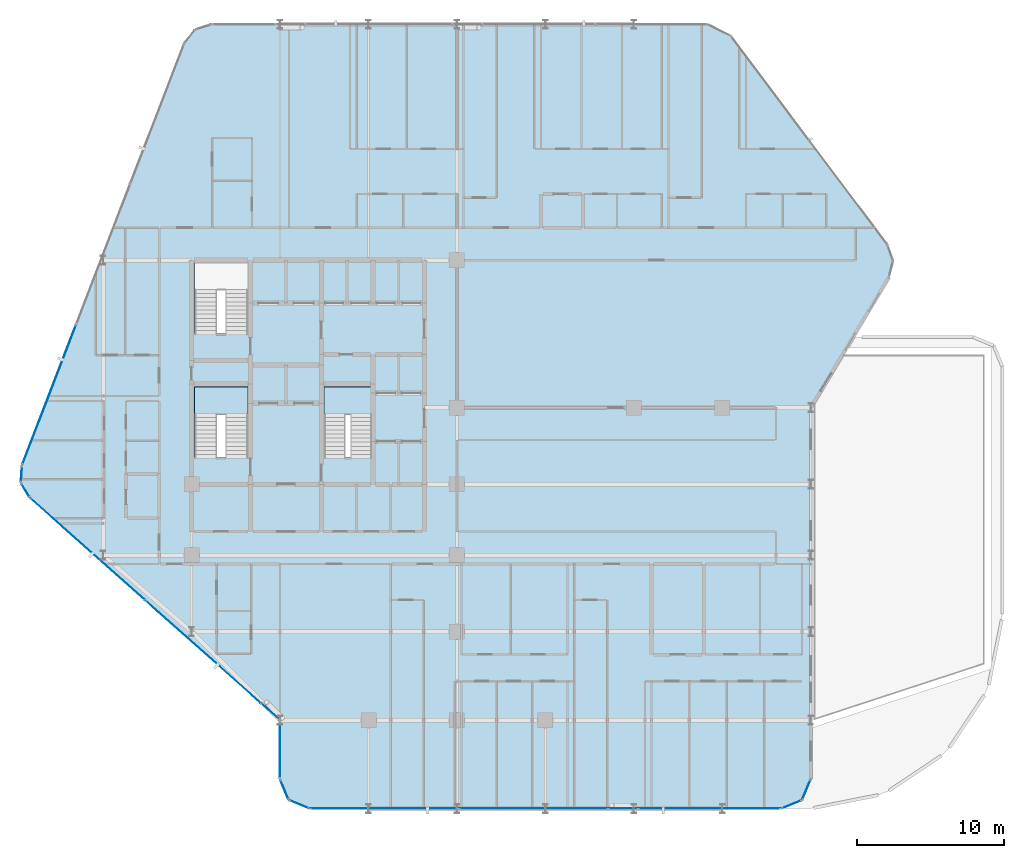
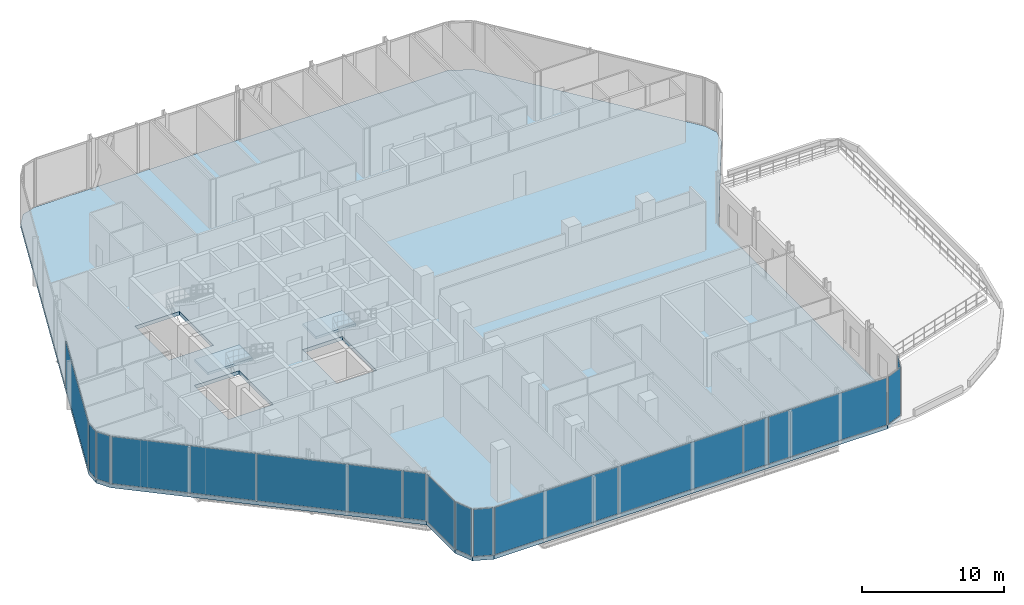
# One storey, part 19 of 30: 15 plates, 3 slabs, 15 elements without a shape of their own.
"""IFC4 building model written with IfcOpenShell, lengths in metres."""

from ifc_helpers import new_model, si_unit, direction, frame, origin, origin_2d, place, context, subcontext, project, spatial, polyline, rectangle, outline, extrude, material, layer, layer_set, type_object, element, aggregate, save


model = new_model("IFC4")

# Units and contexts
model_context = context("Model", 3, precision=1e-05, world=origin(), true_north=direction((0.0, 1.0)))
body_context = subcontext(model_context, "Body", "Model", "MODEL_VIEW")
ifc_project = project(units=[si_unit("LENGTHUNIT", "METRE"), si_unit("AREAUNIT", "SQUARE_METRE"), si_unit("VOLUMEUNIT", "CUBIC_METRE"), si_unit("PLANEANGLEUNIT", "RADIAN"), si_unit("MASSUNIT", "GRAM", prefix="KILO")], contexts=[model_context])

# Site, building, storey
site_placement = place(None, origin())
site = spatial("IfcSite", under=ifc_project, at=site_placement, CompositionType="ELEMENT")
building_placement = place(site_placement, origin())
building = spatial("IfcBuilding", under=site, at=building_placement, Name="Keshet Zoharim Tower", CompositionType="ELEMENT")
storey_placement = place(building_placement, frame((0.0, 0.0, 86.39990234375)))
storey = spatial("IfcBuildingStorey", under=building, at=storey_placement, Name="L20", CompositionType="ELEMENT", Elevation=86.39990234375)

# Curtain wall, plate
ifc_material_1 = material(Name="Aluminium 6063-T6", Category="aluminium")
ifc_layer_1 = layer(ifc_material_1, 0.159912109375)
ifc_layer_set_1 = layer_set([ifc_layer_1], Name="Aluminium 6063-T6")
curtain_wall_type = type_object("IfcCurtainWallType", Name="CW-SYS-03", PredefinedType="NOTDEFINED", material=ifc_layer_set_1)
curtain_wall_1_placement = place(storey_placement, origin())
curtain_wall_1 = element("IfcCurtainWall", 1, at=curtain_wall_1_placement, inside=storey, type_object=curtain_wall_type, Name="L20 Unitised Curtain Wall 01", PredefinedType="NOTDEFINED")
ifc_material_2 = material(Name="Insulated Low-E Clear Glass", Category="glass")
ifc_layer_2 = layer(ifc_material_2, 0.035888671875)
ifc_layer_set_2 = layer_set([ifc_layer_2], Name="Insulated Low-E Clear Glass")
plate_type_1 = type_object("IfcPlateType", Name="CWP-01", PredefinedType="CURTAIN_PANEL", material=ifc_layer_set_2)
plate_1_placement = place(storey_placement, frame((56.70703125, 1.992919921875, 0.070068359375), z_axis=(0.0, 0.0, 1.0), x_axis=(-0.382851849847, -0.92380975372, 0.0)))
plate_1 = element("IfcPlate", 2, at=plate_1_placement, type_object=plate_type_1, Name="CW-03 panel 1.1", PredefinedType="CURTAIN_PANEL", context=body_context, shape_type="SweptSolid", body=[
    extrude(rectangle(XDim=1.390625, YDim=0.035888671875, at=origin_2d()), origin(), (0.0, 0.0, 1.0), 4.044921875),
])
aggregate(curtain_wall_1, [plate_1])

curtain_wall_2_placement = place(storey_placement, origin())
curtain_wall_2 = element("IfcCurtainWall", 3, at=curtain_wall_2_placement, inside=storey, type_object=curtain_wall_type, Name="L20 Unitised Curtain Wall 02", PredefinedType="NOTDEFINED")
plate_2_placement = place(storey_placement, frame((55.70703125, 0.992919921875, 0.070068359375), z_axis=(0.0, 0.0, 1.0), x_axis=(-0.92380975372, -0.382851849847, 0.0)))
plate_2 = element("IfcPlate", 4, at=plate_2_placement, type_object=plate_type_1, Name="CW-03 panel 1.1", PredefinedType="CURTAIN_PANEL", context=body_context, shape_type="SweptSolid", body=[
    extrude(rectangle(XDim=1.390625, YDim=0.035888671875, at=origin_2d()), origin(), (0.0, 0.0, 1.0), 4.044921875),
])
aggregate(curtain_wall_2, [plate_2])

curtain_wall_3_placement = place(storey_placement, origin())
curtain_wall_3 = element("IfcCurtainWall", 5, at=curtain_wall_3_placement, inside=storey, type_object=curtain_wall_type, Name="L20 Unitised Curtain Wall 03", PredefinedType="NOTDEFINED")
plate_3_placement = place(storey_placement, frame((50.1337890625, 0.699951171875, 0.070068359375), z_axis=(0.0, 0.0, 1.0), x_axis=(-1.0, 0.0, 0.0)))
plate_3 = element("IfcPlate", 6, at=plate_3_placement, type_object=plate_type_1, Name="CW-03 panel 1.1", PredefinedType="CURTAIN_PANEL", context=body_context, shape_type="SweptSolid", body=[
    extrude(rectangle(XDim=9.592529296875, YDim=0.035888671875, at=origin_2d()), origin(), (0.0, 0.0, 1.0), 4.044921875),
])
aggregate(curtain_wall_3, [plate_3])

# Curtain wall, plates
curtain_wall_4_placement = place(storey_placement, origin())
curtain_wall_4 = element("IfcCurtainWall", 7, at=curtain_wall_4_placement, inside=storey, type_object=curtain_wall_type, Name="L20 Unitised Curtain Wall 03 Part 3", PredefinedType="NOTDEFINED")
plate_4_placement = place(storey_placement, frame((38.19189453125, 0.699951171875, 0.070068359375), z_axis=(0.0, 0.0, 1.0), x_axis=(-1.0, 0.0, 0.0)))
plate_4 = element("IfcPlate", 8, at=plate_4_placement, type_object=plate_type_1, Name="CW-03 panel 1.1", PredefinedType="CURTAIN_PANEL", context=body_context, shape_type="SweptSolid", body=[
    extrude(rectangle(XDim=10.081298828125, YDim=0.035888671875, at=origin_2d()), origin(), (0.0, 0.0, 1.0), 4.044921875),
])
plate_5_placement = place(storey_placement, frame((28.07568359375, 0.699951171875, 0.070068359375), z_axis=(0.0, 0.0, 1.0), x_axis=(-1.0, 0.0, 0.0)))
plate_5 = element("IfcPlate", 9, at=plate_5_placement, type_object=plate_type_1, Name="CW-03 panel 2.1", PredefinedType="CURTAIN_PANEL", context=body_context, shape_type="SweptSolid", body=[
    extrude(rectangle(XDim=10.01123046875, YDim=0.035888671875, at=origin_2d()), origin(), (0.0, 0.0, 1.0), 4.044921875),
])
aggregate(curtain_wall_4, [plate_4, plate_5])

# Curtain wall, plate
curtain_wall_5_placement = place(storey_placement, origin())
curtain_wall_5 = element("IfcCurtainWall", 10, at=curtain_wall_5_placement, inside=storey, type_object=curtain_wall_type, Name="L20 Unitised Curtain Wall 04", PredefinedType="NOTDEFINED")
plate_6_placement = place(storey_placement, frame((22.29296875, 0.992919921875, 0.070068359375), z_axis=(0.0, 0.0, 1.0), x_axis=(-0.92380975372, 0.382851849847, 0.0)))
plate_6 = element("IfcPlate", 11, at=plate_6_placement, type_object=plate_type_1, Name="CW-03 panel 1.1", PredefinedType="CURTAIN_PANEL", context=body_context, shape_type="SweptSolid", body=[
    extrude(rectangle(XDim=1.390625, YDim=0.035888671875, at=origin_2d()), origin(), (0.0, 0.0, 1.0), 4.044921875),
])
aggregate(curtain_wall_5, [plate_6])

curtain_wall_6_placement = place(storey_placement, origin())
curtain_wall_6 = element("IfcCurtainWall", 12, at=curtain_wall_6_placement, inside=storey, type_object=curtain_wall_type, Name="L20 Unitised Curtain Wall 05", PredefinedType="NOTDEFINED")
plate_7_placement = place(storey_placement, frame((21.29296875, 1.992919921875, 0.070068359375), z_axis=(0.0, 0.0, 1.0), x_axis=(-0.382851849847, 0.92380975372, 0.0)))
plate_7 = element("IfcPlate", 13, at=plate_7_placement, type_object=plate_type_1, Name="CW-03 panel 1.1", PredefinedType="CURTAIN_PANEL", context=body_context, shape_type="SweptSolid", body=[
    extrude(rectangle(XDim=1.390625, YDim=0.035888671875, at=origin_2d()), origin(), (0.0, 0.0, 1.0), 4.044921875),
])
aggregate(curtain_wall_6, [plate_7])

curtain_wall_7_placement = place(storey_placement, origin())
curtain_wall_7 = element("IfcCurtainWall", 14, at=curtain_wall_7_placement, inside=storey, type_object=curtain_wall_type, Name="L20 Unitised Curtain Wall 06", PredefinedType="NOTDEFINED")
plate_8_placement = place(storey_placement, frame((21.0, 4.699951171875, 0.070068359375), z_axis=(0.0, 0.0, 1.0), x_axis=(0.0, 1.0, 0.0)))
plate_8 = element("IfcPlate", 15, at=plate_8_placement, type_object=plate_type_1, Name="CW-03 panel 1.1", PredefinedType="CURTAIN_PANEL", context=body_context, shape_type="SweptSolid", body=[
    extrude(rectangle(XDim=3.860107421875, YDim=0.035888671875, at=origin_2d()), origin(), (0.0, 0.0, 1.0), 4.044921875),
])
aggregate(curtain_wall_7, [plate_8])

# Curtain wall, plates
curtain_wall_8_placement = place(storey_placement, origin())
curtain_wall_8 = element("IfcCurtainWall", 16, at=curtain_wall_8_placement, inside=storey, type_object=curtain_wall_type, Name="L20 Unitised Curtain Wall 07 Part 2", PredefinedType="NOTDEFINED")
plate_9_placement = place(storey_placement, frame((15.782470703125, 11.337890625, 0.070068359375), z_axis=(0.0, 0.0, 1.0), x_axis=(-0.747409055117, 0.664364135343, 0.0)))
plate_9 = element("IfcPlate", 17, at=plate_9_placement, type_object=plate_type_1, Name="CW-03 panel 1.1", PredefinedType="CURTAIN_PANEL", context=body_context, shape_type="SweptSolid", body=[
    extrude(rectangle(XDim=10.431640625, YDim=0.035888671875, at=origin_2d()), origin(), (0.0, 0.0, 1.0), 4.044921875),
])
plate_10_placement = place(storey_placement, frame((7.95947265625, 18.29150390625, 0.070068359375), z_axis=(0.0, 0.0, 1.0), x_axis=(-0.747409055117, 0.664364135343, 0.0)))
plate_10 = element("IfcPlate", 18, at=plate_10_placement, type_object=plate_type_1, Name="CW-03 panel 2.1", PredefinedType="CURTAIN_PANEL", context=body_context, shape_type="SweptSolid", body=[
    extrude(rectangle(XDim=10.361572265625, YDim=0.035888671875, at=origin_2d()), origin(), (0.0, 0.0, 1.0), 4.044921875),
])
aggregate(curtain_wall_8, [plate_9, plate_10])

# Curtain wall, plate
curtain_wall_9_placement = place(storey_placement, origin())
curtain_wall_9 = element("IfcCurtainWall", 19, at=curtain_wall_9_placement, inside=storey, type_object=curtain_wall_type, Name="L20 Unitised Curtain Wall 08", PredefinedType="NOTDEFINED")
plate_11_placement = place(storey_placement, frame((3.7275390625, 22.291015625, 0.070068359375), z_axis=(0.0, 0.0, 1.0), x_axis=(-0.515604947933, 0.856826433805, 0.0)))
plate_11 = element("IfcPlate", 20, at=plate_11_placement, type_object=plate_type_1, Name="CW-03 panel 1.1", PredefinedType="CURTAIN_PANEL", context=body_context, shape_type="SweptSolid", body=[
    extrude(rectangle(XDim=1.052734375, YDim=0.035888671875, at=origin_2d()), origin(), (0.0, 0.0, 1.0), 4.044921875),
])
aggregate(curtain_wall_9, [plate_11])

curtain_wall_10_placement = place(storey_placement, origin())
curtain_wall_10 = element("IfcCurtainWall", 21, at=curtain_wall_10_placement, inside=storey, type_object=curtain_wall_type, Name="L20 Unitised Curtain Wall 09", PredefinedType="NOTDEFINED")
plate_12_placement = place(storey_placement, frame((3.45849609375, 23.3974609375, 0.070068359375), z_axis=(0.0, 0.0, 1.0), x_axis=(0.064516859374, 0.997916617186, 0.0)))
plate_12 = element("IfcPlate", 22, at=plate_12_placement, type_object=plate_type_1, Name="CW-03 panel 1.1", PredefinedType="CURTAIN_PANEL", context=body_context, shape_type="SweptSolid", body=[
    extrude(rectangle(XDim=1.053466796875, YDim=0.035888671875, at=origin_2d()), origin(), (0.0, 0.0, 1.0), 4.044921875),
])
aggregate(curtain_wall_10, [plate_12])

curtain_wall_11_placement = place(storey_placement, origin())
curtain_wall_11 = element("IfcCurtainWall", 23, at=curtain_wall_11_placement, inside=storey, type_object=curtain_wall_type, Name="L20 Unitised Curtain Wall 10", PredefinedType="NOTDEFINED")
plate_13_placement = place(storey_placement, frame((5.33837890625, 28.7802734375, 0.070068359375), z_axis=(0.0, 0.0, 1.0), x_axis=(0.358990003907, 0.933341404361, 0.0)))
plate_13 = element("IfcPlate", 24, at=plate_13_placement, type_object=plate_type_1, Name="CW-03 panel 1.1", PredefinedType="CURTAIN_PANEL", context=body_context, shape_type="SweptSolid", body=[
    extrude(rectangle(XDim=10.1181640625, YDim=0.035888671875, at=origin_2d()), origin(), (0.0, 0.0, 1.0), 4.044921875),
])
aggregate(curtain_wall_11, [plate_13])

curtain_wall_12_placement = place(storey_placement, origin())
curtain_wall_12 = element("IfcCurtainWall", 25, at=curtain_wall_12_placement, inside=storey, type_object=curtain_wall_type, Name="L20 Unitised Curtain Wall 03 Part 2", PredefinedType="NOTDEFINED")
ifc_material_3 = material(Name="Insulated Aluminium Spandrel Panel", Category="aluminium")
ifc_layer_3 = layer(ifc_material_3, 0.035888671875)
ifc_layer_set_3 = layer_set([ifc_layer_3], Name="Insulated Aluminium Spandrel Panel")
plate_type_2 = type_object("IfcPlateType", Name="CWP-04", PredefinedType="CURTAIN_PANEL", material=ifc_layer_set_3)
plate_14_placement = place(storey_placement, frame((44.284912109375, 0.699951171875, 0.070068359375), z_axis=(0.0, 0.0, 1.0), x_axis=(-1.0, 0.0, 0.0)))
plate_14 = element("IfcPlate", 26, at=plate_14_placement, type_object=plate_type_2, Name="CW-03 spandrel panel 1.1", PredefinedType="CURTAIN_PANEL", context=body_context, shape_type="SweptSolid", body=[
    extrude(rectangle(XDim=1.96484375, YDim=0.035888671875, at=origin_2d()), origin(), (0.0, 0.0, 1.0), 4.044921875),
])
aggregate(curtain_wall_12, [plate_14])

curtain_wall_13_placement = place(storey_placement, origin())
curtain_wall_13 = element("IfcCurtainWall", 27, at=curtain_wall_13_placement, inside=storey, type_object=curtain_wall_type, Name="L20 Unitised Curtain Wall 07", PredefinedType="NOTDEFINED")
plate_15_placement = place(storey_placement, frame((20.34033203125, 7.286376953125, 0.070068359375), z_axis=(0.0, 0.0, 1.0), x_axis=(-0.747412444309, 0.664360322484, 0.0)))
plate_15 = element("IfcPlate", 28, at=plate_15_placement, type_object=plate_type_2, Name="CW-03 spandrel panel 1.1", PredefinedType="CURTAIN_PANEL", context=body_context, shape_type="SweptSolid", body=[
    extrude(rectangle(XDim=1.625244140625, YDim=0.035888671875, at=origin_2d()), origin(), (0.0, 0.0, 1.0), 4.044921875),
])
aggregate(curtain_wall_13, [plate_15])

# Stair, slab
ifc_material_4 = material(Name="Concrete C50/60", Category="concrete")
stair_type = type_object("IfcStairType", Name="STR-EXIT-135", PredefinedType="HALF_TURN_STAIR", material=ifc_material_4)
stair_1_placement = place(storey_placement, origin())
stair_1 = element("IfcStair", 29, at=stair_1_placement, inside=storey, type_object=stair_type, Name="L20 Enclosed Exit Stair ST-01", PredefinedType="HALF_TURN_STAIR")
ifc_layer_4 = layer(ifc_material_4, 0.199951171875)
ifc_layer_set_4 = layer_set([ifc_layer_4], Name="Concrete C50/60")
slab_type_1 = type_object("IfcSlabType", Name="SLB-LND-200", PredefinedType="LANDING", material=ifc_layer_set_4)
slab_1_placement = place(storey_placement, frame((0.0, 0.0, 2.050048828125)))
slab_1 = element("IfcSlab", 30, at=slab_1_placement, type_object=slab_type_1, Name="ST-01 landing 1", PredefinedType="LANDING", context=body_context, shape_type="SweptSolid", body=[
    extrude(outline(polyline([(15.179931640625, 27.43994140625), (18.820068359375, 27.43994140625), (18.820068359375, 29.320068359375), (15.179931640625, 29.320068359375), (15.179931640625, 27.43994140625)])), origin(), (0.0, 0.0, 1.0), 0.199951171875),
])
aggregate(stair_1, [slab_1])

stair_2_placement = place(storey_placement, origin())
stair_2 = element("IfcStair", 31, at=stair_2_placement, inside=storey, type_object=stair_type, Name="L20 Enclosed Exit Stair ST-03", PredefinedType="HALF_TURN_STAIR")
slab_2_placement = place(storey_placement, frame((0.0, 0.0, 2.050048828125)))
slab_2 = element("IfcSlab", 32, at=slab_2_placement, type_object=slab_type_1, Name="ST-03 landing 1", PredefinedType="LANDING", context=body_context, shape_type="SweptSolid", body=[
    extrude(outline(polyline([(23.97998046875, 27.43994140625), (27.219970703125, 27.43994140625), (27.219970703125, 29.320068359375), (23.97998046875, 29.320068359375), (23.97998046875, 27.43994140625)])), origin(), (0.0, 0.0, 1.0), 0.199951171875),
])
aggregate(stair_2, [slab_2])

# Slab
ifc_layer_5 = layer(ifc_material_4, 0.31494140625)
ifc_layer_set_5 = layer_set([ifc_layer_5], Name="Concrete C50/60")
slab_type_2 = type_object("IfcSlabType", Name="SLB-LOW-260", PredefinedType="FLOOR", material=ifc_layer_set_5)
slab_3_placement = place(storey_placement, frame((0.0, 0.0, -0.31494140625)))
element("IfcSlab", 33, at=slab_3_placement, inside=storey, type_object=slab_type_2, Name="L20 Structural Floor Slab 1", PredefinedType="FLOOR", context=body_context, shape_type="SweptSolid", body=[
    extrude(outline(polyline([(57.0, 2.699951171875), (56.4140625, 1.285888671875), (55.0, 0.699951171875), (23.0, 0.699951171875), (21.5859375, 1.285888671875), (21.0, 2.699951171875), (21.0, 6.699951171875), (4.034912109375, 21.780029296875), (3.419921875, 22.802001953125), (3.4970703125, 23.992919921875), (14.507080078125, 52.617919921875), (15.240966796875, 53.549072265625), (16.3740234375, 53.89990234375), (50.0, 53.89990234375), (51.60009765625, 53.10009765625), (62.193115234375, 38.97607421875), (62.590087890625, 37.87890625), (62.30810546875, 36.7470703125), (57.0, 27.89990234375), (57.0, 2.699951171875)]), holes=[polyline([(15.179931640625, 24.52001953125), (18.820068359375, 24.52001953125), (18.820068359375, 29.320068359375), (15.179931640625, 29.320068359375), (15.179931640625, 24.52001953125)]), polyline([(15.179931640625, 32.919921875), (18.820068359375, 32.919921875), (18.820068359375, 37.719970703125), (15.179931640625, 37.719970703125), (15.179931640625, 32.919921875)]), polyline([(23.97998046875, 24.52001953125), (27.219970703125, 24.52001953125), (27.219970703125, 29.320068359375), (23.97998046875, 29.320068359375), (23.97998046875, 24.52001953125)])]), origin(), (0.0, 0.0, 1.0), 0.31494140625),
])

save(model, "model.ifc")
